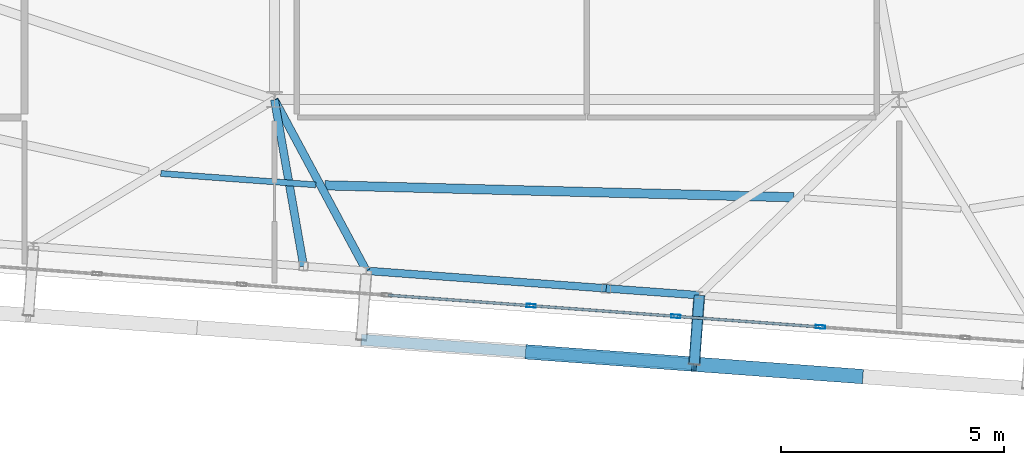
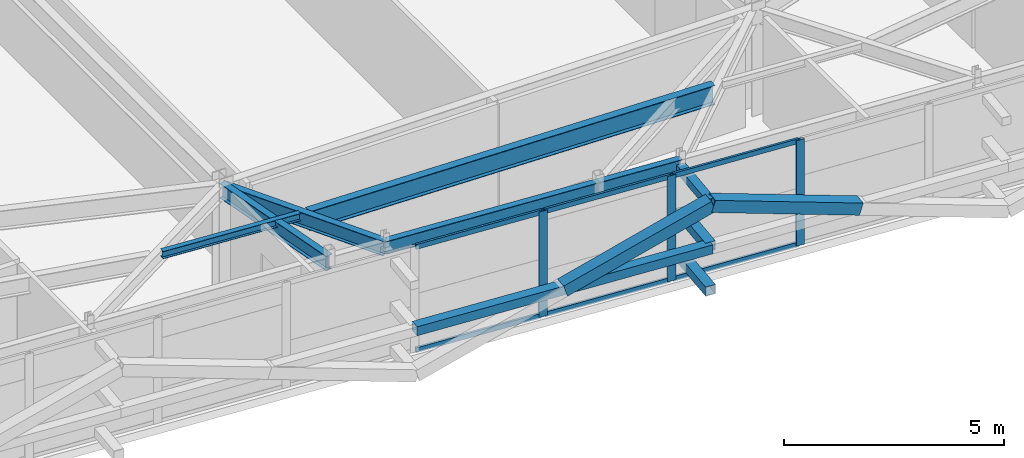
# One storey, part 13 of 42: 15 members, 6 beams, 1 element without a shape of its own.
"""IFC4 building model written with IfcOpenShell, lengths in metres."""

from ifc_helpers import new_model, si_unit, direction, frame, origin, origin_2d, place, context, subcontext, project, spatial, hollow_rectangle, i_section, extrude, source, transform, mapped, material, layer, layer_set, material_profile, profile_set, type_object, element, aggregate, save


model = new_model("IFC4")

# Units and contexts
model_context = context("Model", 3, precision=1e-05, world=origin(), true_north=direction((0.0, 1.0)))
body_context = subcontext(model_context, "Body", "Model", "MODEL_VIEW")
ifc_project = project(units=[si_unit("LENGTHUNIT", "METRE"), si_unit("AREAUNIT", "SQUARE_METRE"), si_unit("VOLUMEUNIT", "CUBIC_METRE"), si_unit("PLANEANGLEUNIT", "RADIAN"), si_unit("MASSUNIT", "GRAM", prefix="KILO")], contexts=[model_context])

# Site, building, storey
site_placement = place(None, origin())
site = spatial("IfcSite", under=ifc_project, at=site_placement, CompositionType="ELEMENT")
building_placement = place(site_placement, origin())
building = spatial("IfcBuilding", under=site, at=building_placement, Name="Taldren Reach Tower", CompositionType="ELEMENT")
storey_placement = place(building_placement, frame((0.0, 0.0, 217.699951171875)))
storey = spatial("IfcBuildingStorey", under=building, at=storey_placement, Name="L66", CompositionType="ELEMENT", Elevation=217.699951171875)

# Members
ifc_material_1 = material(Name="Steel Gr 350 (C350L0)", Category="steel")
ifc_material_profile_1 = material_profile(ifc_material_1, hollow_rectangle(XDim=0.25, YDim=0.25, WallThickness=0.010009765625, at=origin_2d()), Name="250x250x10.0SHS")
ifc_profile_set_1 = profile_set([ifc_material_profile_1], Name="Steel Gr 350 (C350L0)")
member_type_1 = type_object("IfcMemberType", Name="MB-POST250", PredefinedType="POST", material=ifc_profile_set_1)
shared_shape_1 = source(origin(), body_context, "Body", "SweptSolid", [
    extrude(hollow_rectangle(XDim=0.25, YDim=0.25, WallThickness=0.010009765625, at=origin_2d()), origin(), (0.0, 0.0, 1.0), 1.550048828125),
])
for number, where, z_axis, x_axis, name in (
    (1, (37.5205078125, 4.81689453125, 0.219970703125), (-0.07323929162, -0.997314396849, 0.0), (0.997314396849, -0.07323929162, 0.0), "Exoskeleton base diaphragm tie strut B5-S4 L66"),
    (2, (37.5205078125, 4.81689453125, 1.43505859375), (-0.07323929162, -0.997314396849, 0.0), (0.997314396849, -0.07323929162, 0.0), "Exoskeleton mid-tier diaphragm tie B5-S4 L66"),
):
    element("IfcMember", number, at=place(storey_placement, frame(where, z_axis=z_axis, x_axis=x_axis)), inside=storey, type_object=member_type_1, Name=name, PredefinedType="POST", context=body_context, shape_type="MappedRepresentation", body=[
        mapped(shared_shape_1, transform((0.0, 0.0, 0.0), scale=1.0)),
    ])
ifc_material_2 = material(Name="Steel Gr 450 (C450L0)", Category="steel")
ifc_material_profile_2 = material_profile(ifc_material_2, hollow_rectangle(XDim=0.219970703125, YDim=0.219970703125, WallThickness=0.00830078125, at=origin_2d()), Name="220x220x8.2SHS")
ifc_profile_set_2 = profile_set([ifc_material_profile_2], Name="Steel Gr 450 (C450L0)")
member_type_2 = type_object("IfcMemberType", Name="MB-TIE219", PredefinedType="STRUT", material=ifc_profile_set_2)
shared_shape_2 = source(origin(), body_context, "Body", "SweptSolid", [
    extrude(hollow_rectangle(XDim=0.219970703125, YDim=0.219970703125, WallThickness=0.00830078125, at=origin_2d()), origin(), (0.0, 0.0, 1.0), 1.550048828125),
])
member_1_placement = place(storey_placement, frame((37.5205078125, 4.81689453125, 2.650146484375), z_axis=(-0.07323929162, -0.997314396849, 0.0), x_axis=(0.997314396849, -0.07323929162, 0.0)))
element("IfcMember", 3, at=member_1_placement, inside=storey, type_object=member_type_2, Name="Exoskeleton diaphragm tie strut B5-S4 L66", PredefinedType="STRUT", context=body_context, shape_type="MappedRepresentation", body=[
    mapped(shared_shape_2, transform((0.0, 0.0, 0.0), scale=1.0)),
])

# Beams
ifc_material_3 = material(Name="Steel Gr 350 (350PLUS)", Category="steel")
ifc_material_profile_3 = material_profile(ifc_material_3, i_section(OverallWidth=0.172119140625, OverallDepth=0.35888671875, WebThickness=0.008056640625, FlangeThickness=0.012939453125, at=origin_2d()), Name="360UB56.7")
ifc_profile_set_3 = profile_set([ifc_material_profile_3], Name="Steel Gr 350 (350PLUS)")
beam_type_1 = type_object("IfcBeamType", Name="SP-UB360", PredefinedType="SPANDREL", material=ifc_profile_set_3)
shared_shape_3 = source(origin(), body_context, "Body", "SweptSolid", [
    extrude(i_section(OverallWidth=0.172119140625, OverallDepth=0.35888671875, WebThickness=0.008056640625, FlangeThickness=0.012939453125, at=origin_2d()), origin(), (0.0, 0.0, 1.0), 5.389892578125),
])
beam_1_placement = place(storey_placement, frame((30.060546875, 5.364501953125, 2.75048828125), z_axis=(0.997314149177, -0.073242664148, 0.0), x_axis=(0.073242664148, 0.997314149177, 0.0)))
element("IfcBeam", 4, at=beam_1_placement, inside=storey, type_object=beam_type_1, Name="Perimeter spandrel B5 S3-PJ2 L66", PredefinedType="SPANDREL", context=body_context, shape_type="MappedRepresentation", body=[
    mapped(shared_shape_3, transform((0.0, 0.0, 0.0), scale=1.0)),
])
shared_shape_4 = source(origin(), body_context, "Body", "SweptSolid", [
    extrude(i_section(OverallWidth=0.172119140625, OverallDepth=0.35888671875, WebThickness=0.008056640625, FlangeThickness=0.012939453125, at=origin_2d()), origin(), (0.0, 0.0, 1.0), 2.090087890625),
])
beam_2_placement = place(storey_placement, frame((35.43603515625, 4.9697265625, 2.75048828125), z_axis=(0.997322930253, -0.073122997697, 0.0), x_axis=(0.073122997697, 0.997322930253, 0.0)))
element("IfcBeam", 5, at=beam_2_placement, inside=storey, type_object=beam_type_1, Name="Perimeter spandrel B5 PJ2-S4 L66", PredefinedType="SPANDREL", context=body_context, shape_type="MappedRepresentation", body=[
    mapped(shared_shape_4, transform((0.0, 0.0, 0.0), scale=1.0)),
])
ifc_material_profile_4 = material_profile(ifc_material_3, i_section(OverallWidth=0.177978515625, OverallDepth=0.406005859375, WebThickness=0.0078125, FlangeThickness=0.0126953125, at=origin_2d()), Name="410UB59.7")
ifc_profile_set_4 = profile_set([ifc_material_profile_4], Name="Steel Gr 350 (350PLUS)")
beam_type_2 = type_object("IfcBeamType", Name="BM-UB410", PredefinedType="BEAM", material=ifc_profile_set_4)
shared_shape_5 = source(origin(), body_context, "Body", "SweptSolid", [
    extrude(i_section(OverallWidth=0.177978515625, OverallDepth=0.406005859375, WebThickness=0.0078125, FlangeThickness=0.0126953125, at=origin_2d()), origin(), (0.0, 0.0, 1.0), 3.7890625),
])
beam_3_placement = place(storey_placement, frame((28.0, 9.199951171875, 2.72705078125), z_axis=(0.172678846321, -0.984978180486, 0.0), x_axis=(0.984978180486, 0.172678846321, 0.0)))
element("IfcBeam", 6, at=beam_3_placement, inside=storey, type_object=beam_type_2, Name="Primary floor girder B5-PJ1 L66", PredefinedType="BEAM", context=body_context, shape_type="MappedRepresentation", body=[
    mapped(shared_shape_5, transform((0.0, 0.0, 0.0), scale=1.0)),
])
shared_shape_6 = source(origin(), body_context, "Body", "SweptSolid", [
    extrude(i_section(OverallWidth=0.177978515625, OverallDepth=0.406005859375, WebThickness=0.0078125, FlangeThickness=0.0126953125, at=origin_2d()), origin(), (0.0, 0.0, 1.0), 4.35400390625),
])
beam_4_placement = place(storey_placement, frame((28.0, 9.199951171875, 2.72705078125), z_axis=(0.473263645364, -0.88092083752, 0.0), x_axis=(0.88092083752, 0.473263645364, 0.0)))
element("IfcBeam", 7, at=beam_4_placement, inside=storey, type_object=beam_type_2, Name="Primary floor girder B5-S3 L66", PredefinedType="BEAM", context=body_context, shape_type="MappedRepresentation", body=[
    mapped(shared_shape_6, transform((0.0, 0.0, 0.0), scale=1.0)),
])
ifc_material_4 = material(Name="Steel Gr 300 (300PLUS, 300 MPa)", Category="steel")
ifc_material_profile_5 = material_profile(ifc_material_4, i_section(OverallWidth=0.134033203125, OverallDepth=0.20703125, WebThickness=0.00634765625, FlangeThickness=0.009521484375, at=origin_2d()), Name="200UB29.8")
ifc_profile_set_5 = profile_set([ifc_material_profile_5], Name="Steel Gr 300 (300PLUS, 300 MPa)")
beam_type_3 = type_object("IfcBeamType", Name="JS-UB200", PredefinedType="JOIST", material=ifc_profile_set_5)
shared_shape_7 = source(origin(), body_context, "Body", "SweptSolid", [
    extrude(i_section(OverallWidth=0.134033203125, OverallDepth=0.20703125, WebThickness=0.00634765625, FlangeThickness=0.009521484375, at=origin_2d()), origin(), (0.0, 0.0, 1.0), 3.481201171875),
])
beam_5_placement = place(storey_placement, frame((25.453125, 7.544921875, 2.82666015625), z_axis=(0.997316141537, -0.073215529974, 0.0), x_axis=(0.073215529974, 0.997316141537, 0.0)))
element("IfcBeam", 8, at=beam_5_placement, inside=storey, type_object=beam_type_3, Name="Secondary floor joist B5 J2 L66", PredefinedType="JOIST", context=body_context, shape_type="MappedRepresentation", body=[
    mapped(shared_shape_7, transform((0.0, 0.0, 0.0), scale=1.0)),
])
ifc_material_profile_6 = material_profile(ifc_material_3, i_section(OverallWidth=0.208984375, OverallDepth=0.532958984375, WebThickness=0.01025390625, FlangeThickness=0.015625, at=origin_2d()), Name="530UB92.4")
ifc_profile_set_6 = profile_set([ifc_material_profile_6], Name="Steel Gr 350 (350PLUS)")
beam_type_4 = type_object("IfcBeamType", Name="BM-UB530A", PredefinedType="BEAM", material=ifc_profile_set_6)
shared_shape_8 = source(origin(), body_context, "Body", "SweptSolid", [
    extrude(i_section(OverallWidth=0.208984375, OverallDepth=0.532958984375, WebThickness=0.01025390625, FlangeThickness=0.015625, at=origin_2d()), origin(), (0.0, 0.0, 1.0), 10.507080078125),
])
beam_6_placement = place(storey_placement, frame((29.132568359375, 7.27978515625, 2.66357421875), z_axis=(0.999673899449, -0.025536146143, 0.0), x_axis=(0.025536146143, 0.999673899449, 0.0)))
element("IfcBeam", 9, at=beam_6_placement, inside=storey, type_object=beam_type_4, Name="Secondary floor beam B5 J3 L66", PredefinedType="BEAM", context=body_context, shape_type="MappedRepresentation", body=[
    mapped(shared_shape_8, transform((0.0, 0.0, 0.0), scale=1.0)),
])

# Members
ifc_material_profile_7 = material_profile(ifc_material_2, hollow_rectangle(XDim=0.324951171875, YDim=0.324951171875, WallThickness=0.0126953125, at=origin_2d()), Name="325x325x12.7SHS")
ifc_profile_set_7 = profile_set([ifc_material_profile_7], Name="Steel Gr 450 (C450L0)")
member_type_3 = type_object("IfcMemberType", Name="MB-BR324", PredefinedType="BRACE", material=ifc_profile_set_7)
shared_shape_9 = source(origin(), body_context, "Body", "SweptSolid", [
    extrude(hollow_rectangle(XDim=0.324951171875, YDim=0.324951171875, WallThickness=0.0126953125, at=origin_2d()), origin(), (0.0, 0.0, 1.0), 3.932373046875),
])
member_2_placement = place(storey_placement, frame((33.677001953125, 3.544921875, 1.43505859375), z_axis=(0.948511132845, -0.069657644394, 0.308989390507), x_axis=(0.07324169103, 0.997314220642, 0.0)))
element("IfcMember", 10, at=member_2_placement, inside=storey, type_object=member_type_3, Name="Exoskeleton Diagrid Brace B5-S3 L66", PredefinedType="BRACE", context=body_context, shape_type="MappedRepresentation", body=[
    mapped(shared_shape_9, transform((0.0, 0.0, 0.0), scale=1.0)),
])
shared_shape_10 = source(origin(), body_context, "Body", "SweptSolid", [
    extrude(hollow_rectangle(XDim=0.25, YDim=0.25, WallThickness=0.010009765625, at=origin_2d()), origin(), (0.0, 0.0, 1.0), 7.47998046875),
])
member_3_placement = place(storey_placement, frame((29.947021484375, 3.81884765625, 1.43505859375), z_axis=(0.997314220642, -0.07324169103, 0.0), x_axis=(0.07324169103, 0.997314220642, 0.0)))
element("IfcMember", 11, at=member_3_placement, inside=storey, type_object=member_type_1, Name="Exoskeleton mid-height ring chord B5-S3 L66", PredefinedType="POST", context=body_context, shape_type="MappedRepresentation", body=[
    mapped(shared_shape_10, transform((0.0, 0.0, 0.0), scale=1.0)),
])
shared_shape_11 = source(origin(), body_context, "Body", "SweptSolid", [
    extrude(hollow_rectangle(XDim=0.324951171875, YDim=0.324951171875, WallThickness=0.0126953125, at=origin_2d()), origin(), (0.0, 0.0, 1.0), 3.93212890625),
])
member_4_placement = place(storey_placement, frame((41.13671875, 2.9970703125, 1.43505859375), z_axis=(-0.94850490367, 0.069661746542, 0.309007586933), x_axis=(-0.073246459555, -0.997313870435, 0.0)))
element("IfcMember", 12, at=member_4_placement, inside=storey, type_object=member_type_3, Name="Exoskeleton Diagrid Brace B5-S4 L66", PredefinedType="BRACE", context=body_context, shape_type="MappedRepresentation", body=[
    mapped(shared_shape_11, transform((0.0, 0.0, 0.0), scale=1.0)),
])

# Curtain wall, members
ifc_material_5 = material(Name="Aluminium and Low-E Glass Unitised System", Category="aluminium")
ifc_layer = layer(ifc_material_5, 0.159912109375)
ifc_layer_set = layer_set([ifc_layer], Name="Aluminium and Low-E Glass Unitised System")
curtain_wall_type = type_object("IfcCurtainWallType", Name="CW-SYS-6", PredefinedType="NOTDEFINED", material=ifc_layer_set)
curtain_wall_placement = place(storey_placement, origin())
curtain_wall = element("IfcCurtainWall", 13, at=curtain_wall_placement, inside=storey, type_object=curtain_wall_type, Name="Unitised curtain wall CW-L66-S", PredefinedType="NOTDEFINED")
ifc_material_6 = material(Name="Anodised Aluminium 6063-T6", Category="aluminium")
ifc_material_profile_8 = material_profile(ifc_material_6, hollow_rectangle(XDim=0.074951171875, YDim=0.2099609375, WallThickness=0.00439453125, at=origin_2d()), Name="ALU-210x75x4.5RHS")
ifc_profile_set_8 = profile_set([ifc_material_profile_8], Name="Anodised Aluminium 6063-T6")
member_type_4 = type_object("IfcMemberType", Name="CW-MUL-200", PredefinedType="MULLION", material=ifc_profile_set_8)
shared_shape_12 = source(origin(), body_context, "Body", "SweptSolid", [
    extrude(hollow_rectangle(XDim=0.074951171875, YDim=0.2099609375, WallThickness=0.00439453125, at=origin_2d()), origin(), (0.0, 0.0, 1.0), 2.929931640625),
])
member_5_placement = place(storey_placement, frame((33.753173828125, 4.58203125, 0.0), z_axis=(0.0, 0.0, 1.0), x_axis=(0.073238213716, 0.997314476006, 0.0)))
member_5 = element("IfcMember", 14, at=member_5_placement, type_object=member_type_4, Name="CW-6 mullion 7", PredefinedType="MULLION", context=body_context, shape_type="MappedRepresentation", body=[
    mapped(shared_shape_12, transform((0.0, 0.0, 0.0), scale=1.0)),
])
member_6_placement = place(storey_placement, frame((36.994384765625, 4.343994140625, 0.0), z_axis=(0.0, 0.0, 1.0), x_axis=(0.073238213716, 0.997314476006, 0.0)))
member_6 = element("IfcMember", 15, at=member_6_placement, type_object=member_type_4, Name="CW-6 mullion 8", PredefinedType="MULLION", context=body_context, shape_type="MappedRepresentation", body=[
    mapped(shared_shape_12, transform((0.0, 0.0, 0.0), scale=1.0)),
])
member_7_placement = place(storey_placement, frame((40.235595703125, 4.10595703125, 0.0), z_axis=(0.0, 0.0, 1.0), x_axis=(0.073238213716, 0.997314476006, 0.0)))
member_7 = element("IfcMember", 16, at=member_7_placement, type_object=member_type_4, Name="CW-6 mullion 9", PredefinedType="MULLION", context=body_context, shape_type="MappedRepresentation", body=[
    mapped(shared_shape_12, transform((0.0, 0.0, 0.0), scale=1.0)),
])
ifc_material_profile_9 = material_profile(ifc_material_6, hollow_rectangle(XDim=0.06005859375, YDim=0.135009765625, WallThickness=0.00341796875, at=origin_2d()), Name="ALU-135x60x3.5RHS")
ifc_profile_set_9 = profile_set([ifc_material_profile_9], Name="Anodised Aluminium 6063-T6")
member_type_5 = type_object("IfcMemberType", Name="CW-TRN-150", PredefinedType="USERDEFINED", material=ifc_profile_set_9)
shared_shape_13 = source(origin(), body_context, "Body", "SweptSolid", [
    extrude(hollow_rectangle(XDim=0.06005859375, YDim=0.135009765625, WallThickness=0.00341796875, at=origin_2d()), origin(), (0.0, 0.0, 1.0), 3.1748046875),
])
member_8_placement = place(storey_placement, frame((30.54931640625, 4.8173828125, 0.030029296875), z_axis=(0.997311015151, -0.07328532635, 0.0), x_axis=(0.07328532635, 0.997311015151, 0.0)))
member_8 = element("IfcMember", 17, at=member_8_placement, type_object=member_type_5, Name="CW-6 transom 6.1", ObjectType="TRANSOM", PredefinedType="USERDEFINED", context=body_context, shape_type="MappedRepresentation", body=[
    mapped(shared_shape_13, transform((0.0, 0.0, 0.0), scale=1.0)),
])
member_9_placement = place(storey_placement, frame((30.54931640625, 4.8173828125, 2.900146484375), z_axis=(0.997311015151, -0.07328532635, 0.0), x_axis=(0.07328532635, 0.997311015151, 0.0)))
member_9 = element("IfcMember", 18, at=member_9_placement, type_object=member_type_5, Name="CW-6 transom 6.2", ObjectType="TRANSOM", PredefinedType="USERDEFINED", context=body_context, shape_type="MappedRepresentation", body=[
    mapped(shared_shape_13, transform((0.0, 0.0, 0.0), scale=1.0)),
])
shared_shape_14 = source(origin(), body_context, "Body", "SweptSolid", [
    extrude(hollow_rectangle(XDim=0.06005859375, YDim=0.135009765625, WallThickness=0.00341796875, at=origin_2d()), origin(), (0.0, 0.0, 1.0), 3.175048828125),
])
member_10_placement = place(storey_placement, frame((33.79052734375, 4.579345703125, 0.030029296875), z_axis=(0.997311428111, -0.073279706322, 0.0), x_axis=(0.073279706322, 0.997311428111, 0.0)))
member_10 = element("IfcMember", 19, at=member_10_placement, type_object=member_type_5, Name="CW-6 transom 7.1", ObjectType="TRANSOM", PredefinedType="USERDEFINED", context=body_context, shape_type="MappedRepresentation", body=[
    mapped(shared_shape_14, transform((0.0, 0.0, 0.0), scale=1.0)),
])
member_11_placement = place(storey_placement, frame((33.79052734375, 4.579345703125, 2.900146484375), z_axis=(0.997311428111, -0.073279706322, 0.0), x_axis=(0.073279706322, 0.997311428111, 0.0)))
member_11 = element("IfcMember", 20, at=member_11_placement, type_object=member_type_5, Name="CW-6 transom 7.2", ObjectType="TRANSOM", PredefinedType="USERDEFINED", context=body_context, shape_type="MappedRepresentation", body=[
    mapped(shared_shape_14, transform((0.0, 0.0, 0.0), scale=1.0)),
])
member_12_placement = place(storey_placement, frame((37.03173828125, 4.34130859375, 0.030029296875), z_axis=(0.997311428111, -0.073279706322, 0.0), x_axis=(0.073279706322, 0.997311428111, 0.0)))
member_12 = element("IfcMember", 21, at=member_12_placement, type_object=member_type_5, Name="CW-6 transom 8.1", ObjectType="TRANSOM", PredefinedType="USERDEFINED", context=body_context, shape_type="MappedRepresentation", body=[
    mapped(shared_shape_14, transform((0.0, 0.0, 0.0), scale=1.0)),
])
member_13_placement = place(storey_placement, frame((37.03173828125, 4.34130859375, 2.900146484375), z_axis=(0.997311428111, -0.073279706322, 0.0), x_axis=(0.073279706322, 0.997311428111, 0.0)))
member_13 = element("IfcMember", 22, at=member_13_placement, type_object=member_type_5, Name="CW-6 transom 8.2", ObjectType="TRANSOM", PredefinedType="USERDEFINED", context=body_context, shape_type="MappedRepresentation", body=[
    mapped(shared_shape_14, transform((0.0, 0.0, 0.0), scale=1.0)),
])
aggregate(curtain_wall, [member_5, member_6, member_7, member_8, member_9, member_10, member_11, member_12, member_13])

save(model, "model.ifc")
